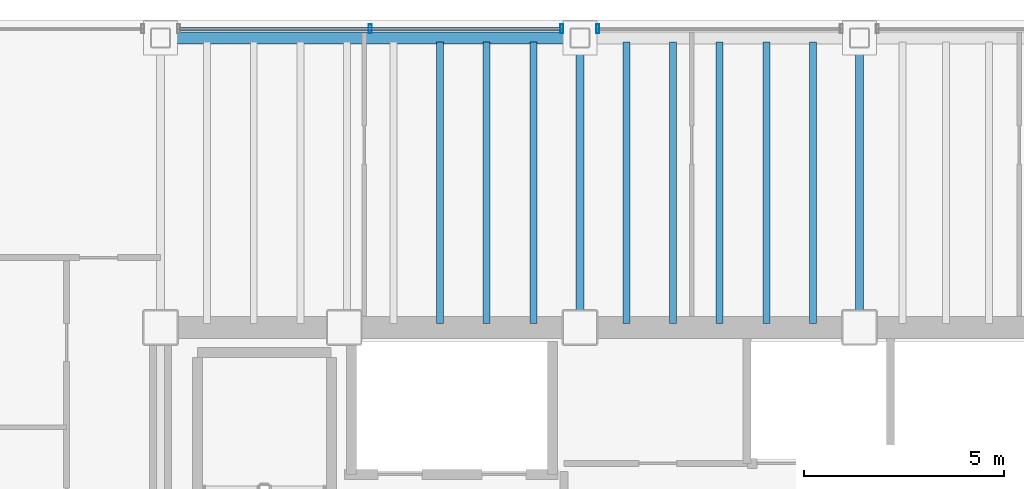
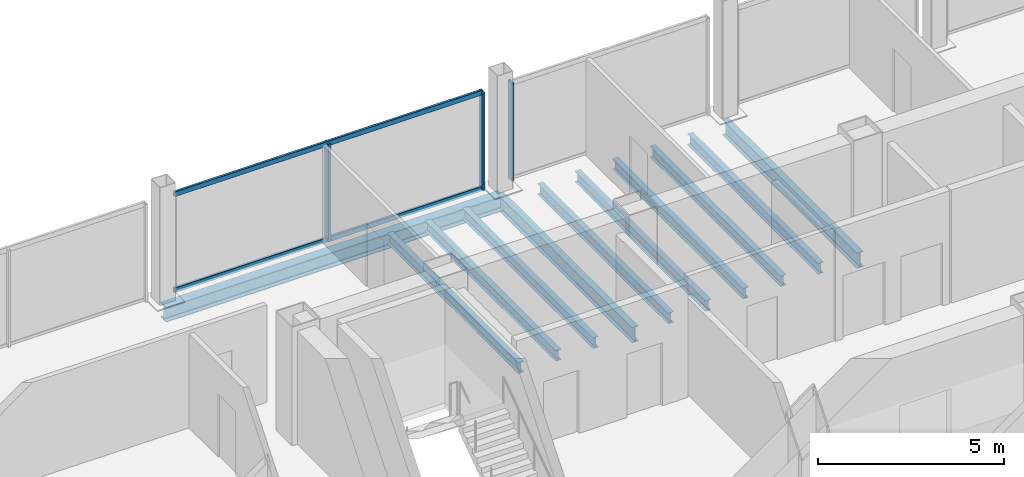
# One storey, part 9 of 19: 11 beams, 5 members, 2 elements without a shape of their own.
"""IFC4 building model written with IfcOpenShell, lengths in metres."""

from ifc_helpers import new_model, si_unit, direction, frame, origin, origin_2d, place, context, subcontext, project, spatial, hollow_rectangle, i_section, extrude, material, material_profile, profile_set, type_object, element, aggregate, save


model = new_model("IFC4")

# Units and contexts
model_context = context("Model", 3, precision=1e-05, world=origin(), true_north=direction((0.0, 1.0)))
body_context = subcontext(model_context, "Body", "Model", "MODEL_VIEW")
ifc_project = project(units=[si_unit("LENGTHUNIT", "METRE"), si_unit("AREAUNIT", "SQUARE_METRE"), si_unit("VOLUMEUNIT", "CUBIC_METRE"), si_unit("PLANEANGLEUNIT", "RADIAN"), si_unit("MASSUNIT", "GRAM", prefix="KILO")], contexts=[model_context])

# Site, building, storey
site_placement = place(None, origin())
site = spatial("IfcSite", under=ifc_project, at=site_placement, CompositionType="ELEMENT")
building_placement = place(site_placement, origin())
building = spatial("IfcBuilding", under=site, at=building_placement, Name="Noeulbin Bourse Tower", CompositionType="ELEMENT")
storey_placement = place(building_placement, frame((0.0, 0.0, 150.0)))
storey = spatial("IfcBuildingStorey", under=building, at=storey_placement, Name="L37", CompositionType="ELEMENT", Elevation=150.0)

# Beams
ifc_material_1 = material(Name="Steel S355", Category="steel")
ifc_material_profile_1 = material_profile(ifc_material_1, i_section(OverallWidth=0.199951171875, OverallDepth=0.5, WebThickness=0.010009765625, FlangeThickness=0.01611328125, FilletRadius=0.02001953125, at=origin_2d()), Name="H-500x200x10x16", Category="LoadBearing")
ifc_profile_set_1 = profile_set([ifc_material_profile_1], Name="Steel S355")
beam_type_1 = type_object("IfcBeamType", Name="BM-GRD-500", PredefinedType="USERDEFINED", material=ifc_profile_set_1)
for number, where, z_axis, x_axis, name in (
    (1, (24.0, 38.300048828125, -0.429931640625), (0.0, 1.0, 0.0), (-1.0, 0.0, 0.0), "Tower Primary Girder NS L37-2.4"),
    (2, (31.0, 38.300048828125, -0.429931640625), (0.0, 1.0, 0.0), (-1.0, 0.0, 0.0), "Tower Primary Girder NS L37-3.4"),
):
    element("IfcBeam", number, at=place(storey_placement, frame(where, z_axis=z_axis, x_axis=x_axis)), inside=storey, type_object=beam_type_1, Name=name, ObjectType="GIRDER", PredefinedType="USERDEFINED", context=body_context, shape_type="SweptSolid", body=[
        extrude(i_section(OverallWidth=0.199951171875, OverallDepth=0.5, WebThickness=0.010009765625, FlangeThickness=0.01611328125, FilletRadius=0.02001953125, at=origin_2d()), origin(), (0.0, 0.0, 1.0), 7.25),
    ])
ifc_material_profile_2 = material_profile(ifc_material_1, i_section(OverallWidth=0.175048828125, OverallDepth=0.35009765625, WebThickness=0.007080078125, FlangeThickness=0.010986328125, FilletRadius=0.013916015625, at=origin_2d()), Name="H-350x175x7x11", Category="LoadBearing")
ifc_profile_set_2 = profile_set([ifc_material_profile_2], Name="Steel S355")
beam_type_2 = type_object("IfcBeamType", Name="BM-JST-350", PredefinedType="JOIST", material=ifc_profile_set_2)
for number, where, z_axis, x_axis, name in (
    (3, (20.5, 38.39990234375, -0.35498046875), (0.0, 1.0, 0.0), (-1.0, 0.0, 0.0), "Tower Composite Joist L37-18"),
    (4, (21.666748046875, 38.39990234375, -0.35498046875), (0.0, 1.0, 0.0), (-1.0, 0.0, 0.0), "Tower Composite Joist L37-21"),
    (5, (22.833251953125, 38.39990234375, -0.35498046875), (0.0, 1.0, 0.0), (-1.0, 0.0, 0.0), "Tower Composite Joist L37-24"),
    (6, (25.166748046875, 38.39990234375, -0.35498046875), (0.0, 1.0, 0.0), (-1.0, 0.0, 0.0), "Tower Composite Joist L37-27"),
    (7, (26.333251953125, 38.39990234375, -0.35498046875), (0.0, 1.0, 0.0), (-1.0, 0.0, 0.0), "Tower Composite Joist L37-30"),
    (8, (27.5, 38.39990234375, -0.35498046875), (0.0, 1.0, 0.0), (-1.0, 0.0, 0.0), "Tower Composite Joist L37-33"),
    (9, (28.666748046875, 38.39990234375, -0.35498046875), (0.0, 1.0, 0.0), (-1.0, 0.0, 0.0), "Tower Composite Joist L37-36"),
    (10, (29.833251953125, 38.39990234375, -0.35498046875), (0.0, 1.0, 0.0), (-1.0, 0.0, 0.0), "Tower Composite Joist L37-39"),
):
    element("IfcBeam", number, at=place(storey_placement, frame(where, z_axis=z_axis, x_axis=x_axis)), inside=storey, type_object=beam_type_2, Name=name, PredefinedType="JOIST", context=body_context, shape_type="SweptSolid", body=[
        extrude(i_section(OverallWidth=0.175048828125, OverallDepth=0.35009765625, WebThickness=0.007080078125, FlangeThickness=0.010986328125, FilletRadius=0.013916015625, at=origin_2d()), origin(), (0.0, 0.0, 1.0), 7.050048828125),
    ])
ifc_material_profile_3 = material_profile(ifc_material_1, i_section(OverallWidth=0.300048828125, OverallDepth=0.488037109375, WebThickness=0.010986328125, FlangeThickness=0.01806640625, FilletRadius=0.02197265625, at=origin_2d()), Name="H-488x300x11x18", Category="LoadBearing")
ifc_profile_set_3 = profile_set([ifc_material_profile_3], Name="Steel S355")
beam_type_3 = type_object("IfcBeamType", Name="BM-SPN-488", PredefinedType="SPANDREL", material=ifc_profile_set_3)
beam_placement = place(storey_placement, frame((13.5, 45.550048828125, -0.424072265625), z_axis=(1.0, 0.0, 0.0), x_axis=(0.0, 1.0, 0.0)))
element("IfcBeam", 11, at=beam_placement, inside=storey, type_object=beam_type_3, Name="North Spandrel L37-1", PredefinedType="SPANDREL", context=body_context, shape_type="SweptSolid", body=[
    extrude(i_section(OverallWidth=0.300048828125, OverallDepth=0.488037109375, WebThickness=0.010986328125, FlangeThickness=0.01806640625, FilletRadius=0.02197265625, at=origin_2d()), origin(), (0.0, 0.0, 1.0), 10.5),
])

# Curtain wall, members
ifc_material_2 = material(Name="Dark Tinted Triple Glazing", Category="glass")
curtain_wall_type = type_object("IfcCurtainWallType", Name="CW-SYS-3", PredefinedType="NOTDEFINED", material=ifc_material_2)
curtain_wall_1_placement = place(storey_placement, origin())
curtain_wall_1 = element("IfcCurtainWall", 12, at=curtain_wall_1_placement, inside=storey, type_object=curtain_wall_type, Name="Unitised Curtain Wall CW-L37-N-S2", PredefinedType="NOTDEFINED")
ifc_material_3 = material(Name="Anodised Aluminium 6063-T6", Category="aluminium")
ifc_material_profile_4 = material_profile(ifc_material_3, hollow_rectangle(XDim=0.074951171875, YDim=0.219970703125, WallThickness=0.0048828125, InnerFilletRadius=0.00244140625, OuterFilletRadius=0.0048828125, at=origin_2d()), Name="ALU-MULL-75x220x5", Category="LoadBearing")
ifc_profile_set_4 = profile_set([ifc_material_profile_4], Name="Anodised Aluminium 6063-T6")
member_type_1 = type_object("IfcMemberType", Name="CW-SYS-3-MUL", PredefinedType="MULLION", material=ifc_profile_set_4)
member_1_placement = place(storey_placement, frame((18.75, 45.780029296875, -0.02001953125), z_axis=(0.0, 0.0, 1.0), x_axis=(1.0, 0.0, 0.0)))
member_1 = element("IfcMember", 13, at=member_1_placement, type_object=member_type_1, Name="Curtain Wall Mullion CW-L37-N-S2-M01", PredefinedType="MULLION", context=body_context, shape_type="SweptSolid", body=[
    extrude(hollow_rectangle(XDim=0.074951171875, YDim=0.219970703125, WallThickness=0.0048828125, InnerFilletRadius=0.00244140625, OuterFilletRadius=0.0048828125, at=origin_2d()), origin(), (0.0, 0.0, 1.0), 3.219970703125),
])
member_2_placement = place(storey_placement, frame((23.550048828125, 45.780029296875, -0.02001953125), z_axis=(0.0, 0.0, 1.0), x_axis=(1.0, 0.0, 0.0)))
member_2 = element("IfcMember", 14, at=member_2_placement, type_object=member_type_1, Name="Curtain Wall Mullion CW-L37-N-S2-M02", PredefinedType="MULLION", context=body_context, shape_type="SweptSolid", body=[
    extrude(hollow_rectangle(XDim=0.074951171875, YDim=0.219970703125, WallThickness=0.0048828125, InnerFilletRadius=0.00244140625, OuterFilletRadius=0.0048828125, at=origin_2d()), origin(), (0.0, 0.0, 1.0), 3.219970703125),
])

# Curtain wall, member
curtain_wall_2_placement = place(storey_placement, origin())
curtain_wall_2 = element("IfcCurtainWall", 15, at=curtain_wall_2_placement, inside=storey, type_object=curtain_wall_type, Name="Unitised Curtain Wall CW-L37-N-S3", PredefinedType="NOTDEFINED")
member_3_placement = place(storey_placement, frame((24.449951171875, 45.780029296875, -0.02001953125), z_axis=(0.0, 0.0, 1.0), x_axis=(1.0, 0.0, 0.0)))
member_3 = element("IfcMember", 16, at=member_3_placement, type_object=member_type_1, Name="Curtain Wall Mullion CW-L37-N-S3-M00", PredefinedType="MULLION", context=body_context, shape_type="SweptSolid", body=[
    extrude(hollow_rectangle(XDim=0.074951171875, YDim=0.219970703125, WallThickness=0.0048828125, InnerFilletRadius=0.00244140625, OuterFilletRadius=0.0048828125, at=origin_2d()), origin(), (0.0, 0.0, 1.0), 3.219970703125),
])
aggregate(curtain_wall_2, [member_3])

# Member
ifc_material_profile_5 = material_profile(ifc_material_3, hollow_rectangle(XDim=0.074951171875, YDim=0.159912109375, WallThickness=0.0048828125, InnerFilletRadius=0.00244140625, OuterFilletRadius=0.0048828125, at=origin_2d()), Name="ALU-TRAN-75x160x5", Category="LoadBearing")
ifc_profile_set_5 = profile_set([ifc_material_profile_5], Name="Anodised Aluminium 6063-T6")
member_type_2 = type_object("IfcMemberType", Name="CW-SYS-3-TRN", PredefinedType="USERDEFINED", material=ifc_profile_set_5)
member_4_placement = place(storey_placement, frame((13.9599609375, 45.780029296875, 0.010009765625), z_axis=(1.0, 0.0, 0.0), x_axis=(0.0, 1.0, 0.0)))
member_4 = element("IfcMember", 17, at=member_4_placement, type_object=member_type_2, Name="Curtain Wall Transom CW-L37-N-S2-T00", ObjectType="TRANSOM", PredefinedType="USERDEFINED", context=body_context, shape_type="SweptSolid", body=[
    extrude(hollow_rectangle(XDim=0.074951171875, YDim=0.159912109375, WallThickness=0.0048828125, InnerFilletRadius=0.00244140625, OuterFilletRadius=0.0048828125, at=origin_2d()), origin(), (0.0, 0.0, 1.0), 9.580078125),
])

member_5_placement = place(storey_placement, frame((13.9599609375, 45.780029296875, 3.169921875), z_axis=(1.0, 0.0, 0.0), x_axis=(0.0, 1.0, 0.0)))
member_5 = element("IfcMember", 18, at=member_5_placement, type_object=member_type_2, Name="Curtain Wall Transom CW-L37-N-S2-T01", ObjectType="TRANSOM", PredefinedType="USERDEFINED", context=body_context, shape_type="SweptSolid", body=[
    extrude(hollow_rectangle(XDim=0.074951171875, YDim=0.159912109375, WallThickness=0.0048828125, InnerFilletRadius=0.00244140625, OuterFilletRadius=0.0048828125, at=origin_2d()), origin(), (0.0, 0.0, 1.0), 9.580078125),
])

aggregate(curtain_wall_1, [member_1, member_2, member_4, member_5])

save(model, "model.ifc")
